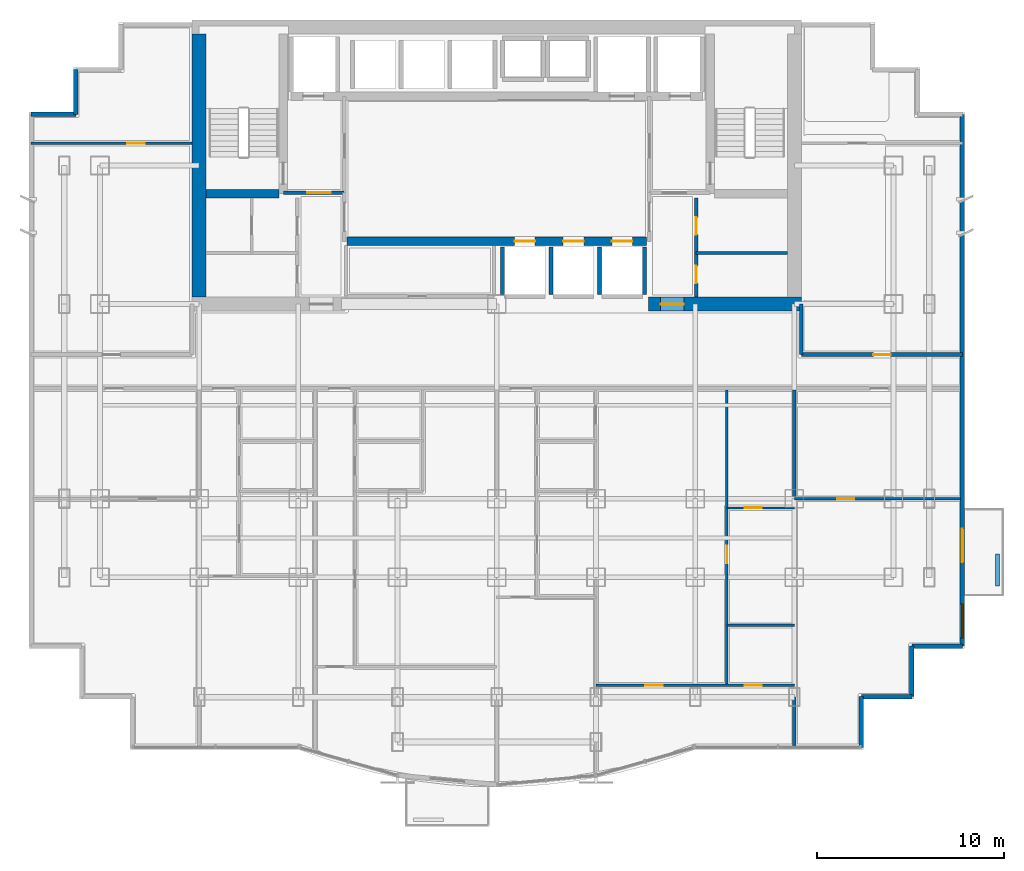
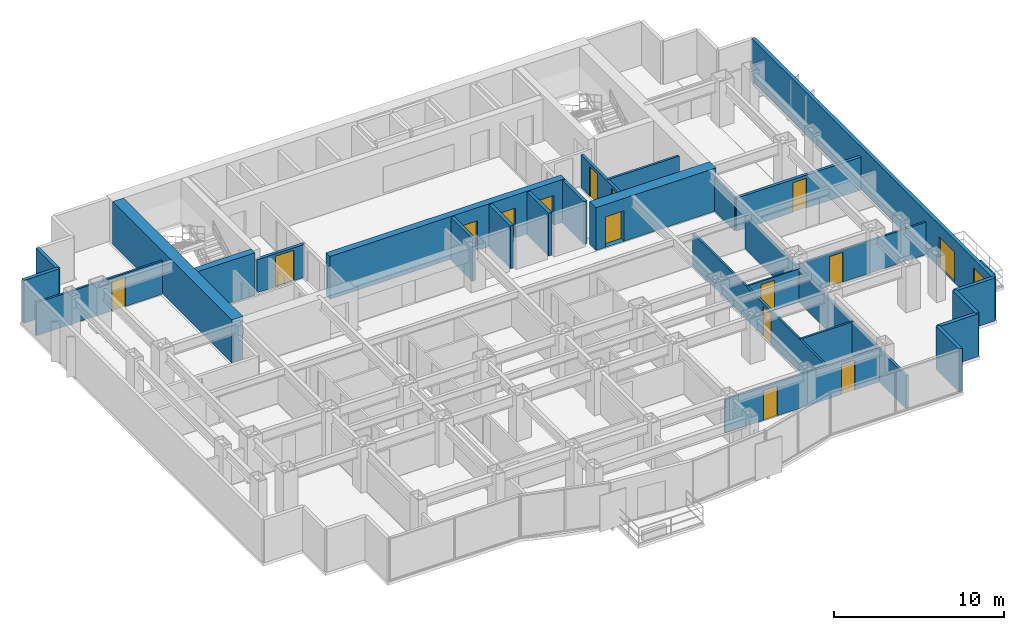
# One storey, part 6 of 10: 28 walls, 15 doors, 1 window, 16 openings.
"""IFC4 building model written with IfcOpenShell, lengths in metres."""

from ifc_helpers import new_model, si_unit, direction, frame, frame_2d, origin, place, context, subcontext, project, spatial, rectangle, extrude, material, layer, layer_set, type_object, element, fill, save


model = new_model("IFC4")

# Units and contexts
model_context = context("Model", 3, precision=1e-05, world=origin(), true_north=direction((0.0, 1.0)))
body_context = subcontext(model_context, "Body", "Model", "MODEL_VIEW")
ifc_project = project(units=[si_unit("LENGTHUNIT", "METRE"), si_unit("AREAUNIT", "SQUARE_METRE"), si_unit("VOLUMEUNIT", "CUBIC_METRE"), si_unit("PLANEANGLEUNIT", "RADIAN"), si_unit("MASSUNIT", "GRAM", prefix="KILO")], contexts=[model_context])

# Site, building, storey
site_placement = place(None, origin())
site = spatial("IfcSite", under=ifc_project, at=site_placement, CompositionType="ELEMENT")
building_placement = place(site_placement, origin())
building = spatial("IfcBuilding", under=site, at=building_placement, Name="Qianlan Lanfeng Residences", CompositionType="ELEMENT")
storey_placement = place(building_placement, frame((0.0, 0.0, 91.60009765625)))
storey = spatial("IfcBuildingStorey", under=building, at=storey_placement, Name="L24", CompositionType="ELEMENT", Elevation=91.60009765625)

# Wall
ifc_material_1 = material(Name="Concrete C60", Category="concrete")
ifc_layer_1 = layer(ifc_material_1, 0.449951171875)
ifc_layer_set_1 = layer_set([ifc_layer_1], Name="Concrete C60")
wall_type_1 = type_object("IfcWallType", Name="CW-RC-450", PredefinedType="SHEAR", material=ifc_layer_set_1)
wall_1_placement = place(storey_placement, frame((10.97509765625, 31.10009765625, 0.0), z_axis=(0.0, 0.0, 1.0), x_axis=(1.0, 0.0, 0.0)))
element("IfcWall", 1, at=wall_1_placement, inside=storey, type_object=wall_type_1, Name="L24 Core Shear Wall ST1S", PredefinedType="SHEAR", context=body_context, shape_type="SweptSolid", body=[
    extrude(rectangle(XDim=3.89990234375, YDim=0.449951171875, at=frame_2d((1.949951171875, 0.0))), origin(), (0.0, 0.0, 1.0), 3.08984375),
])

# Wall, openings, doors
wall_2_placement = place(storey_placement, frame((18.5, 28.550048828125, 0.0), z_axis=(0.0, 0.0, 1.0), x_axis=(1.0, 0.0, 0.0)))
wall_2 = element("IfcWall", 2, at=wall_2_placement, inside=storey, type_object=wall_type_1, Name="L24 Core Shear Wall LBS", PredefinedType="SHEAR", context=body_context, shape_type="SweptSolid", body=[
    extrude(rectangle(XDim=16.0, YDim=0.449951171875, at=frame_2d((8.0, 0.0))), origin(), (0.0, 0.0, 1.0), 3.08984375),
])
opening_1_placement = place(wall_2_placement, frame((8.949951171875, 0.0, 0.0)))
opening_1 = element("IfcOpeningElement", 3, at=opening_1_placement, cuts=wall_2, Name="Opening L24-LD-PL-M1", PredefinedType="OPENING", context=body_context, shape_type="SweptSolid", body=[
    extrude(rectangle(XDim=1.10009765625, YDim=2.14990234375, at=frame_2d((0.550048828125, 1.074951171875))), frame((0.0, 0.23486328125, 0.0), z_axis=(0.0, -1.0, 0.0), x_axis=(1.0, 0.0, 0.0)), (0.0, 0.0, 1.0), 0.469970703125),
])
opening_2_placement = place(wall_2_placement, frame((11.550048828125, 0.0, 0.0)))
opening_2 = element("IfcOpeningElement", 4, at=opening_2_placement, cuts=wall_2, Name="Opening L24-LD-PL-M2", PredefinedType="OPENING", context=body_context, shape_type="SweptSolid", body=[
    extrude(rectangle(XDim=1.10009765625, YDim=2.14990234375, at=frame_2d((0.550048828125, 1.074951171875))), frame((0.0, 0.23486328125, 0.0), z_axis=(0.0, -1.0, 0.0), x_axis=(1.0, 0.0, 0.0)), (0.0, 0.0, 1.0), 0.469970703125),
])
opening_3_placement = place(wall_2_placement, frame((14.14990234375, 0.0, 0.0)))
opening_3 = element("IfcOpeningElement", 5, at=opening_3_placement, cuts=wall_2, Name="Opening L24-LD-PL-M3", PredefinedType="OPENING", context=body_context, shape_type="SweptSolid", body=[
    extrude(rectangle(XDim=1.10009765625, YDim=2.14990234375, at=frame_2d((0.550048828125, 1.074951171875))), frame((0.0, 0.23486328125, 0.0), z_axis=(0.0, -1.0, 0.0), x_axis=(1.0, 0.0, 0.0)), (0.0, 0.0, 1.0), 0.469970703125),
])
ifc_material_2 = material(Name="Brushed Stainless Steel Sliding Lift Door", Category="steel")
door_type_1 = type_object("IfcDoorType", Name="LD-01", OperationType="NOTDEFINED", PredefinedType="DOOR", material=ifc_material_2)
door_1_placement = place(opening_1_placement, origin())
door_1 = element("IfcDoor", 6, at=door_1_placement, inside=storey, type_object=door_type_1, Name="L24 Elevator PL-M1 Sliding Landing Door", OperationType="DOUBLE_DOOR_SLIDING", OverallHeight=2.14990234375, OverallWidth=1.10009765625, PredefinedType="DOOR", context=body_context, shape_type="SweptSolid", body=[
    extrude(rectangle(XDim=1.10009765625, YDim=2.14990234375, at=frame_2d((0.550048828125, 1.074951171875))), frame((0.0, 0.02490234375, 0.0), z_axis=(0.0, -1.0, 0.0), x_axis=(1.0, 0.0, 0.0)), (0.0, 0.0, 1.0), 0.050048828125),
])
fill(opening_1, door_1)
door_2_placement = place(opening_2_placement, origin())
door_2 = element("IfcDoor", 7, at=door_2_placement, inside=storey, type_object=door_type_1, Name="L24 Elevator PL-M2 Sliding Landing Door", OperationType="DOUBLE_DOOR_SLIDING", OverallHeight=2.14990234375, OverallWidth=1.10009765625, PredefinedType="DOOR", context=body_context, shape_type="SweptSolid", body=[
    extrude(rectangle(XDim=1.10009765625, YDim=2.14990234375, at=frame_2d((0.550048828125, 1.074951171875))), frame((0.0, 0.02490234375, 0.0), z_axis=(0.0, -1.0, 0.0), x_axis=(1.0, 0.0, 0.0)), (0.0, 0.0, 1.0), 0.050048828125),
])
fill(opening_2, door_2)
door_3_placement = place(opening_3_placement, origin())
door_3 = element("IfcDoor", 8, at=door_3_placement, inside=storey, type_object=door_type_1, Name="L24 Elevator PL-M3 Sliding Landing Door", OperationType="DOUBLE_DOOR_SLIDING", OverallHeight=2.14990234375, OverallWidth=1.10009765625, PredefinedType="DOOR", context=body_context, shape_type="SweptSolid", body=[
    extrude(rectangle(XDim=1.10009765625, YDim=2.14990234375, at=frame_2d((0.550048828125, 1.074951171875))), frame((0.0, 0.02490234375, 0.0), z_axis=(0.0, -1.0, 0.0), x_axis=(1.0, 0.0, 0.0)), (0.0, 0.0, 1.0), 0.050048828125),
])
fill(opening_3, door_3)

# Wall
ifc_layer_2 = layer(ifc_material_1, 0.75)
ifc_layer_set_2 = layer_set([ifc_layer_2], Name="Concrete C60")
wall_type_2 = type_object("IfcWallType", Name="CW-RC-750", PredefinedType="SHEAR", material=ifc_layer_set_2)
wall_3_placement = place(storey_placement, frame((10.60009765625, 25.574951171875, 0.0), z_axis=(0.0, 0.0, 1.0), x_axis=(0.0, 1.0, 0.0)))
element("IfcWall", 9, at=wall_3_placement, inside=storey, type_object=wall_type_2, Name="L24 Core Shear Wall W", PredefinedType="SHEAR", context=body_context, shape_type="SweptSolid", body=[
    extrude(rectangle(XDim=14.050048828125, YDim=0.75, at=frame_2d((7.02490234375, 0.0))), origin(), (0.0, 0.0, 1.0), 3.08984375),
])

# Wall, opening, door
wall_4_placement = place(storey_placement, frame((34.60009765625, 25.199951171875, 0.0), z_axis=(0.0, 0.0, 1.0), x_axis=(1.0, 0.0, 0.0)))
wall_4 = element("IfcWall", 10, at=wall_4_placement, inside=storey, type_object=wall_type_2, Name="L24 Core Shear Wall SE", PredefinedType="SHEAR", context=body_context, shape_type="SweptSolid", body=[
    extrude(rectangle(XDim=8.1748046875, YDim=0.75, at=frame_2d((4.08740234375, 0.0))), origin(), (0.0, 0.0, 1.0), 3.08984375),
])
opening_4_placement = place(wall_4_placement, frame((0.64990234375, 0.0, 0.0)))
opening_4 = element("IfcOpeningElement", 11, at=opening_4_placement, cuts=wall_4, Name="Opening L24-D02", PredefinedType="OPENING", context=body_context, shape_type="SweptSolid", body=[
    extrude(rectangle(XDim=1.25, YDim=2.199951171875, at=frame_2d((0.625, 1.10009765625))), frame((0.0, 0.385009765625, 0.0), z_axis=(0.0, -1.0, 0.0), x_axis=(1.0, 0.0, 0.0)), (0.0, 0.0, 1.0), 0.77001953125),
])
ifc_material_3 = material(Name="Painted Galvanised Steel Fire Door", Category="steel")
door_type_2 = type_object("IfcDoorType", Name="DT-FFL", OperationType="NOTDEFINED", PredefinedType="DOOR", material=ifc_material_3)
door_4_placement = place(opening_4_placement, frame((1.25, 0.0, 0.0), z_axis=(0.0, 0.0, 1.0), x_axis=(-1.0, 0.0, 0.0)))
door_4 = element("IfcDoor", 12, at=door_4_placement, inside=storey, type_object=door_type_2, Name="L24 East Core Lobby Smoke Door L24-D02 (DT-FFL)", OperationType="SINGLE_SWING_LEFT", OverallHeight=2.199951171875, OverallWidth=1.25, PredefinedType="DOOR", context=body_context, shape_type="SweptSolid", body=[
    extrude(rectangle(XDim=1.25, YDim=2.199951171875, at=frame_2d((0.625, 1.10009765625))), frame((0.0, 0.02490234375, 0.0), z_axis=(0.0, -1.0, 0.0), x_axis=(1.0, 0.0, 0.0)), (0.0, 0.0, 1.0), 0.050048828125),
])
fill(opening_4, door_4)

# Walls
ifc_material_4 = material(Name="Concrete C42", Category="concrete")
ifc_layer_3 = layer(ifc_material_4, 0.239990234375)
ifc_layer_set_3 = layer_set([ifc_layer_3], Name="Concrete C42")
wall_type_3 = type_object("IfcWallType", Name="EW-240", PredefinedType="SOLIDWALL", material=ifc_layer_set_3)
for number, where, z_axis, x_axis, name in (
    (13, (45.97998046875, 1.52001953125, 0.0), (0.0, 0.0, 1.0), (0.0, 1.0, 0.0), "L24 Exterior Facade Spandrel Wall 6"),
    (14, (45.97998046875, 4.219970703125, 0.0), (0.0, 0.0, 1.0), (1.0, 0.0, 0.0), "L24 Exterior Facade Spandrel Wall 7"),
    (15, (48.679931640625, 4.219970703125, 0.0), (0.0, 0.0, 1.0), (0.0, 1.0, 0.0), "L24 Exterior Facade Spandrel Wall 8"),
    (16, (48.679931640625, 6.919921875, 0.0), (0.0, 0.0, 1.0), (1.0, 0.0, 0.0), "L24 Exterior Facade Spandrel Wall 9"),
):
    element("IfcWall", number, at=place(storey_placement, frame(where, z_axis=z_axis, x_axis=x_axis)), inside=storey, type_object=wall_type_3, Name=name, PredefinedType="SOLIDWALL", context=body_context, shape_type="SweptSolid", body=[
        extrude(rectangle(XDim=2.699951171875, YDim=0.239990234375, at=frame_2d((1.35009765625, 0.0))), origin(), (0.0, 0.0, 1.0), 3.08984375),
    ])

# Wall, openings, door, window
wall_5_placement = place(storey_placement, frame((51.3798828125, 6.919921875, 0.0), z_axis=(0.0, 0.0, 1.0), x_axis=(0.0, 1.0, 0.0)))
wall_5 = element("IfcWall", 17, at=wall_5_placement, inside=storey, type_object=wall_type_3, Name="L24 Terrace/Balcony Access Exterior Wall 10", PredefinedType="SOLIDWALL", context=body_context, shape_type="SweptSolid", body=[
    extrude(rectangle(XDim=28.41015625, YDim=0.239990234375, at=frame_2d((14.205078125, 0.0))), origin(), (0.0, 0.0, 1.0), 3.08984375),
])
opening_5_placement = place(wall_5_placement, frame((4.47998046875, 0.0, 0.0)))
opening_5 = element("IfcOpeningElement", 18, at=opening_5_placement, cuts=wall_5, Name="Opening L24-D-EB-S", PredefinedType="OPENING", context=body_context, shape_type="SweptSolid", body=[
    extrude(rectangle(XDim=1.800048828125, YDim=2.199951171875, at=frame_2d((0.89990234375, 1.10009765625))), frame((0.0, 0.1298828125, 0.0), z_axis=(0.0, -1.0, 0.0), x_axis=(1.0, 0.0, 0.0)), (0.0, 0.0, 1.0), 0.260009765625),
])
opening_6_placement = place(wall_5_placement, frame((0.449951171875, 0.0, 0.75)))
opening_6 = element("IfcOpeningElement", 19, at=opening_6_placement, cuts=wall_5, Name="Opening W-01", PredefinedType="OPENING", context=body_context, shape_type="SweptSolid", body=[
    extrude(rectangle(XDim=1.800048828125, YDim=1.699951171875, at=frame_2d((0.89990234375, 0.85009765625))), frame((0.0, 0.1298828125, 0.0), z_axis=(0.0, -1.0, 0.0), x_axis=(1.0, 0.0, 0.0)), (0.0, 0.0, 1.0), 0.260009765625),
])
ifc_material_5 = material(Name="Anodised Bronze Aluminium Framed Glass", Category="aluminium")
door_type_3 = type_object("IfcDoorType", Name="DT-BAL1", OperationType="NOTDEFINED", PredefinedType="DOOR", material=ifc_material_5)
door_5_placement = place(opening_5_placement, frame((1.800048828125, 0.0, 0.0), z_axis=(0.0, 0.0, 1.0), x_axis=(-1.0, 0.0, 0.0)))
door_5 = element("IfcDoor", 20, at=door_5_placement, inside=storey, type_object=door_type_3, Name="L24 Exterior Access Door EB-S", OperationType="DOUBLE_DOOR_SLIDING", OverallHeight=2.199951171875, OverallWidth=1.800048828125, PredefinedType="DOOR", context=body_context, shape_type="SweptSolid", body=[
    extrude(rectangle(XDim=1.800048828125, YDim=2.199951171875, at=frame_2d((0.89990234375, 1.10009765625))), frame((0.0, 0.02490234375, 0.0), z_axis=(0.0, -1.0, 0.0), x_axis=(1.0, 0.0, 0.0)), (0.0, 0.0, 1.0), 0.050048828125),
])
fill(opening_5, door_5)
ifc_material_6 = material(Name="Anodised Bronze Aluminium Framed Double Glazing", Category="aluminium")
window_type = type_object("IfcWindowType", Name="W-01", PartitioningType="SINGLE_PANEL", PredefinedType="WINDOW", material=ifc_material_6)
window_placement = place(opening_6_placement, origin())
window = element("IfcWindow", 21, at=window_placement, inside=storey, type_object=window_type, Name="L24 Exterior Window W-01", OverallHeight=1.699951171875, OverallWidth=1.800048828125, PartitioningType="SINGLE_PANEL", PredefinedType="WINDOW", context=body_context, shape_type="SweptSolid", body=[
    extrude(rectangle(XDim=1.800048828125, YDim=1.699951171875, at=frame_2d((0.89990234375, 0.85009765625))), frame((0.0, 0.030029296875, 0.0), z_axis=(0.0, -1.0, 0.0), x_axis=(1.0, 0.0, 0.0)), (0.0, 0.0, 1.0), 0.06005859375),
])
fill(opening_6, window)

# Walls
for number, where, z_axis, x_axis, name in (
    (22, (4.02001953125, 37.72998046875, 0.0), (0.0, 0.0, 1.0), (0.0, -1.0, 0.0), "L24 Exterior Facade Spandrel Wall 19"),
    (23, (4.02001953125, 35.330078125, 0.0), (0.0, 0.0, 1.0), (-1.0, 0.0, 0.0), "L24 Exterior Facade Spandrel Wall 20"),
):
    element("IfcWall", number, at=place(storey_placement, frame(where, z_axis=z_axis, x_axis=x_axis)), inside=storey, type_object=wall_type_3, Name=name, PredefinedType="SOLIDWALL", context=body_context, shape_type="SweptSolid", body=[
        extrude(rectangle(XDim=2.39990234375, YDim=0.239990234375, at=frame_2d((1.199951171875, 0.0))), origin(), (0.0, 0.0, 1.0), 3.08984375),
    ])
ifc_layer_4 = layer(ifc_material_4, 0.199951171875)
ifc_layer_set_4 = layer_set([ifc_layer_4], Name="Concrete C42")
wall_type_4 = type_object("IfcWallType", Name="PL-TREE-200", PredefinedType="PARAPET", material=ifc_layer_set_4)
wall_6_placement = place(storey_placement, frame((53.25, 10.14990234375, 0.0), z_axis=(0.0, 0.0, 1.0), x_axis=(0.0, 1.0, 0.0)))
element("IfcWall", 24, at=wall_6_placement, inside=storey, type_object=wall_type_4, Name="L24 East Tree Planter Curb EB-S", PredefinedType="PARAPET", context=body_context, shape_type="SweptSolid", body=[
    extrude(rectangle(XDim=1.7001953125, YDim=0.199951171875, at=frame_2d((0.85009765625, 0.0))), origin(), (0.0, 0.0, 1.0), 0.64990234375),
])

# Wall, opening, door
ifc_material_7 = material(Name="Demountable Acoustic Framing Partition 110 mm")
ifc_layer_5 = layer(ifc_material_7, 0.110107421875)
ifc_layer_set_5 = layer_set([ifc_layer_5], Name="Demountable Acoustic Framing Partition 110 mm")
wall_type_5 = type_object("IfcWallType", Name="PW-110", PredefinedType="MOVABLE", material=ifc_layer_set_5)
wall_7_placement = place(storey_placement, frame((38.800048828125, 14.31396484375, 0.0), z_axis=(0.0, 0.0, 1.0), x_axis=(1.0, 0.0, 0.0)))
wall_7 = element("IfcWall", 25, at=wall_7_placement, inside=storey, type_object=wall_type_5, Name="L24 U03 Wardrobe Split", PredefinedType="MOVABLE", context=body_context, shape_type="SweptSolid", body=[
    extrude(rectangle(XDim=3.599853515625, YDim=0.110107421875, at=frame_2d((1.7998046875, 0.0))), origin(), (0.0, 0.0, 1.0), 2.3798828125),
])
opening_7_placement = place(wall_7_placement, frame((0.93994140625, 0.0, 0.0)))
opening_7 = element("IfcOpeningElement", 26, at=opening_7_placement, cuts=wall_7, Name="Opening L24-D36", PredefinedType="OPENING", context=body_context, shape_type="SweptSolid", body=[
    extrude(rectangle(XDim=0.919921875, YDim=2.14990234375, at=frame_2d((0.4599609375, 1.074951171875))), frame((0.0, 0.06494140625, 0.0), z_axis=(0.0, -1.0, 0.0), x_axis=(1.0, 0.0, 0.0)), (0.0, 0.0, 1.0), 0.130126953125),
])
ifc_material_8 = material(Name="Glazed Timber Kitchen/Study Door", Category="wood")
door_type_4 = type_object("IfcDoorType", Name="DT-INT", OperationType="NOTDEFINED", PredefinedType="DOOR", material=ifc_material_8)
door_6_placement = place(opening_7_placement, origin())
door_6 = element("IfcDoor", 27, at=door_6_placement, inside=storey, type_object=door_type_4, Name="L24 U03 Dressing Inner Door L24-D36 (DT-INT)", OperationType="SINGLE_SWING_LEFT", OverallHeight=2.14990234375, OverallWidth=0.919921875, PredefinedType="DOOR", context=body_context, shape_type="SweptSolid", body=[
    extrude(rectangle(XDim=0.919921875, YDim=2.14990234375, at=frame_2d((0.4599609375, 1.074951171875))), frame((0.0, 0.02490234375, 0.0), z_axis=(0.0, -1.0, 0.0), x_axis=(1.0, 0.0, 0.0)), (0.0, 0.0, 1.0), 0.050048828125),
])
fill(opening_7, door_6)

# Wall, openings, doors
ifc_material_9 = material(Name="Moisture-Resistant Gypsum Partition 135 mm")
ifc_layer_6 = layer(ifc_material_9, 0.135009765625)
ifc_layer_set_6 = layer_set([ifc_layer_6], Name="Moisture-Resistant Gypsum Partition 135 mm")
wall_type_6 = type_object("IfcWallType", Name="PW-135", PredefinedType="PARTITIONING", material=ifc_layer_set_6)
wall_8_placement = place(storey_placement, frame((31.800048828125, 4.827880859375, 0.0), z_axis=(0.0, 0.0, 1.0), x_axis=(1.0, 0.0, 0.0)))
wall_8 = element("IfcWall", 28, at=wall_8_placement, inside=storey, type_object=wall_type_6, Name="L24 U03 Master Bedroom North Wall", PredefinedType="PARTITIONING", context=body_context, shape_type="SweptSolid", body=[
    extrude(rectangle(XDim=10.599853515625, YDim=0.135009765625, at=frame_2d((5.2998046875, 0.0))), origin(), (0.0, 0.0, 1.0), 2.3798828125),
])
opening_8_placement = place(wall_8_placement, frame((2.625, 0.0, 0.0)))
opening_8 = element("IfcOpeningElement", 29, at=opening_8_placement, cuts=wall_8, Name="Opening L24-D33", PredefinedType="OPENING", context=body_context, shape_type="SweptSolid", body=[
    extrude(rectangle(XDim=0.949951171875, YDim=2.14990234375, at=frame_2d((0.47509765625, 1.074951171875))), frame((0.0, 0.07763671875, 0.0), z_axis=(0.0, -1.0, 0.0), x_axis=(1.0, 0.0, 0.0)), (0.0, 0.0, 1.0), 0.155029296875),
])
opening_9_placement = place(wall_8_placement, frame((7.949951171875, 0.0, 0.0)))
opening_9 = element("IfcOpeningElement", 30, at=opening_9_placement, cuts=wall_8, Name="Opening L24-D34", PredefinedType="OPENING", context=body_context, shape_type="SweptSolid", body=[
    extrude(rectangle(XDim=0.89990234375, YDim=2.14990234375, at=frame_2d((0.449951171875, 1.074951171875))), frame((0.0, 0.07763671875, 0.0), z_axis=(0.0, -1.0, 0.0), x_axis=(1.0, 0.0, 0.0)), (0.0, 0.0, 1.0), 0.155029296875),
])
ifc_material_10 = material(Name="Painted Solid-Core Timber Leaf", Category="wood")
door_type_5 = type_object("IfcDoorType", Name="DT-BED", OperationType="NOTDEFINED", PredefinedType="DOOR", material=ifc_material_10)
door_7_placement = place(opening_8_placement, origin())
door_7 = element("IfcDoor", 31, at=door_7_placement, inside=storey, type_object=door_type_5, Name="L24 U03 Master Bedroom Door L24-D33 (DT-BED)", OperationType="SINGLE_SWING_RIGHT", OverallHeight=2.14990234375, OverallWidth=0.949951171875, PredefinedType="DOOR", context=body_context, shape_type="SweptSolid", body=[
    extrude(rectangle(XDim=0.949951171875, YDim=2.14990234375, at=frame_2d((0.47509765625, 1.074951171875))), frame((0.0, 0.02490234375, 0.0), z_axis=(0.0, -1.0, 0.0), x_axis=(1.0, 0.0, 0.0)), (0.0, 0.0, 1.0), 0.050048828125),
])
fill(opening_8, door_7)
ifc_material_11 = material(Name="Moisture-Resistant Timber Leaf", Category="wood")
door_type_6 = type_object("IfcDoorType", Name="DT-WC", OperationType="NOTDEFINED", PredefinedType="DOOR", material=ifc_material_11)
door_8_placement = place(opening_9_placement, origin())
door_8 = element("IfcDoor", 32, at=door_8_placement, inside=storey, type_object=door_type_6, Name="L24 U03 En-Suite Bathroom Door L24-D34 (DT-WC)", OperationType="SINGLE_SWING_LEFT", OverallHeight=2.14990234375, OverallWidth=0.89990234375, PredefinedType="DOOR", context=body_context, shape_type="SweptSolid", body=[
    extrude(rectangle(XDim=0.89990234375, YDim=2.14990234375, at=frame_2d((0.449951171875, 1.074951171875))), frame((0.0, 0.02490234375, 0.0), z_axis=(0.0, -1.0, 0.0), x_axis=(1.0, 0.0, 0.0)), (0.0, 0.0, 1.0), 0.050048828125),
])
fill(opening_9, door_8)

# Wall, opening, door
wall_9_placement = place(storey_placement, frame((38.800048828125, 4.827880859375, 0.0), z_axis=(0.0, 0.0, 1.0), x_axis=(0.0, 1.0, 0.0)))
wall_9 = element("IfcWall", 33, at=wall_9_placement, inside=storey, type_object=wall_type_6, Name="L24 U03 Master Passage Wall", PredefinedType="PARTITIONING", context=body_context, shape_type="SweptSolid", body=[
    extrude(rectangle(XDim=15.772216796875, YDim=0.135009765625, at=frame_2d((7.88623046875, 0.0))), origin(), (0.0, 0.0, 1.0), 2.3798828125),
])
opening_10_placement = place(wall_9_placement, frame((6.532958984375, 0.0, 0.0)))
opening_10 = element("IfcOpeningElement", 34, at=opening_10_placement, cuts=wall_9, Name="Opening L24-D35", PredefinedType="OPENING", context=body_context, shape_type="SweptSolid", body=[
    extrude(rectangle(XDim=0.919921875, YDim=2.14990234375, at=frame_2d((0.4599609375, 1.074951171875))), frame((0.0, 0.07763671875, 0.0), z_axis=(0.0, -1.0, 0.0), x_axis=(1.0, 0.0, 0.0)), (0.0, 0.0, 1.0), 0.155029296875),
])
door_9_placement = place(opening_10_placement, origin())
door_9 = element("IfcDoor", 35, at=door_9_placement, inside=storey, type_object=door_type_4, Name="L24 U03 Wardrobe Door L24-D35 (DT-INT)", OperationType="SINGLE_SWING_RIGHT", OverallHeight=2.14990234375, OverallWidth=0.919921875, PredefinedType="DOOR", context=body_context, shape_type="SweptSolid", body=[
    extrude(rectangle(XDim=0.919921875, YDim=2.14990234375, at=frame_2d((0.4599609375, 1.074951171875))), frame((0.0, 0.02490234375, 0.0), z_axis=(0.0, -1.0, 0.0), x_axis=(1.0, 0.0, 0.0)), (0.0, 0.0, 1.0), 0.050048828125),
])
fill(opening_10, door_9)

# Wall
wall_10_placement = place(storey_placement, frame((38.800048828125, 8.028076171875, 0.0), z_axis=(0.0, 0.0, 1.0), x_axis=(1.0, 0.0, 0.0)))
element("IfcWall", 36, at=wall_10_placement, inside=storey, type_object=wall_type_6, Name="L24 U03 En-Suite North Wall", PredefinedType="PARTITIONING", context=body_context, shape_type="SweptSolid", body=[
    extrude(rectangle(XDim=3.599853515625, YDim=0.135009765625, at=frame_2d((1.7998046875, 0.0))), origin(), (0.0, 0.0, 1.0), 2.3798828125),
])

# Wall, opening, door
wall_11_placement = place(storey_placement, frame((42.39990234375, 14.800048828125, 0.0), z_axis=(0.0, 0.0, 1.0), x_axis=(1.0, 0.0, 0.0)))
wall_11 = element("IfcWall", 37, at=wall_11_placement, inside=storey, type_object=wall_type_6, Name="L24 SEP Mid Partition", PredefinedType="PARTITIONING", context=body_context, shape_type="SweptSolid", body=[
    extrude(rectangle(XDim=8.880126953125, YDim=0.135009765625, at=frame_2d((4.43994140625, 0.0))), origin(), (0.0, 0.0, 1.0), 2.3349609375),
])
opening_11_placement = place(wall_11_placement, frame((2.280029296875, 0.0, 0.0)))
opening_11 = element("IfcOpeningElement", 38, at=opening_11_placement, cuts=wall_11, Name="Opening L24-D39", PredefinedType="OPENING", context=body_context, shape_type="SweptSolid", body=[
    extrude(rectangle(XDim=0.919921875, YDim=2.14990234375, at=frame_2d((0.4599609375, 1.074951171875))), frame((0.0, 0.07763671875, 0.0), z_axis=(0.0, -1.0, 0.0), x_axis=(1.0, 0.0, 0.0)), (0.0, 0.0, 1.0), 0.155029296875),
])
door_10_placement = place(opening_11_placement, origin())
door_10 = element("IfcDoor", 39, at=door_10_placement, inside=storey, type_object=door_type_4, Name="L24 SEP Inner Door L24-D39 (DT-INT)", OperationType="SINGLE_SWING_RIGHT", OverallHeight=2.14990234375, OverallWidth=0.919921875, PredefinedType="DOOR", context=body_context, shape_type="SweptSolid", body=[
    extrude(rectangle(XDim=0.919921875, YDim=2.14990234375, at=frame_2d((0.4599609375, 1.074951171875))), frame((0.0, 0.02490234375, 0.0), z_axis=(0.0, -1.0, 0.0), x_axis=(1.0, 0.0, 0.0)), (0.0, 0.0, 1.0), 0.050048828125),
])
fill(opening_11, door_10)

wall_12_placement = place(storey_placement, frame((1.6201171875, 33.800048828125, 0.0), z_axis=(0.0, 0.0, 1.0), x_axis=(1.0, 0.0, 0.0)))
wall_12 = element("IfcWall", 40, at=wall_12_placement, inside=storey, type_object=wall_type_6, Name="L24 WW North Wing Wall", PredefinedType="PARTITIONING", context=body_context, shape_type="SweptSolid", body=[
    extrude(rectangle(XDim=8.60498046875, YDim=0.135009765625, at=frame_2d((4.302490234375, 0.0))), origin(), (0.0, 0.0, 1.0), 2.3798828125),
])
opening_12_placement = place(wall_12_placement, frame((5.14306640625, 0.0, 0.0)))
opening_12 = element("IfcOpeningElement", 41, at=opening_12_placement, cuts=wall_12, Name="Opening L24-D41", PredefinedType="OPENING", context=body_context, shape_type="SweptSolid", body=[
    extrude(rectangle(XDim=0.919921875, YDim=2.14990234375, at=frame_2d((0.4599609375, 1.074951171875))), frame((0.0, 0.07763671875, 0.0), z_axis=(0.0, -1.0, 0.0), x_axis=(1.0, 0.0, 0.0)), (0.0, 0.0, 1.0), 0.155029296875),
])
door_11_placement = place(opening_12_placement, origin())
door_11 = element("IfcDoor", 42, at=door_11_placement, inside=storey, type_object=door_type_4, Name="L24 WW Inner Salon Door L24-D41 (DT-INT)", OperationType="SINGLE_SWING_RIGHT", OverallHeight=2.14990234375, OverallWidth=0.919921875, PredefinedType="DOOR", context=body_context, shape_type="SweptSolid", body=[
    extrude(rectangle(XDim=0.919921875, YDim=2.14990234375, at=frame_2d((0.4599609375, 1.074951171875))), frame((0.0, 0.02490234375, 0.0), z_axis=(0.0, -1.0, 0.0), x_axis=(1.0, 0.0, 0.0)), (0.0, 0.0, 1.0), 0.050048828125),
])
fill(opening_12, door_11)

# Wall
ifc_material_12 = material(Name="Acoustic Drywall Partition 150 mm")
ifc_layer_7 = layer(ifc_material_12, 0.14990234375)
ifc_layer_set_7 = layer_set([ifc_layer_7], Name="Acoustic Drywall Partition 150 mm")
wall_type_7 = type_object("IfcWallType", Name="PW-150", PredefinedType="PARTITIONING", material=ifc_layer_set_7)
wall_13_placement = place(storey_placement, frame((37.14990234375, 27.925048828125, 0.0), z_axis=(0.0, 0.0, 1.0), x_axis=(1.0, 0.0, 0.0)))
element("IfcWall", 43, at=wall_13_placement, inside=storey, type_object=wall_type_7, Name="L24 Core East H4", PredefinedType="PARTITIONING", context=body_context, shape_type="SweptSolid", body=[
    extrude(rectangle(XDim=4.875, YDim=0.14990234375, at=frame_2d((2.4375, 0.0))), origin(), (0.0, 0.0, 1.0), 2.3798828125),
])

# Wall, openings, doors
ifc_material_13 = material(Name="Double-Layer Acoustic Gypsum Stud Wall 180 mm")
ifc_layer_8 = layer(ifc_material_13, 0.179931640625)
ifc_layer_set_8 = layer_set([ifc_layer_8], Name="Double-Layer Acoustic Gypsum Stud Wall 180 mm")
wall_type_8 = type_object("IfcWallType", Name="PW-180", PredefinedType="PARTITIONING", material=ifc_layer_set_8)
wall_14_placement = place(storey_placement, frame((37.14990234375, 25.574951171875, 0.0), z_axis=(0.0, 0.0, 1.0), x_axis=(0.0, 1.0, 0.0)))
wall_14 = element("IfcWall", 44, at=wall_14_placement, inside=storey, type_object=wall_type_8, Name="L24 Core East Service Room Wall", PredefinedType="PARTITIONING", context=body_context, shape_type="SweptSolid", body=[
    extrude(rectangle(XDim=5.300048828125, YDim=0.179931640625, at=frame_2d((2.64990234375, 0.0))), origin(), (0.0, 0.0, 1.0), 2.3798828125),
])
opening_13_placement = place(wall_14_placement, frame((0.739990234375, 0.0, 0.0)))
opening_13 = element("IfcOpeningElement", 45, at=opening_13_placement, cuts=wall_14, Name="Opening L24-D12", PredefinedType="OPENING", context=body_context, shape_type="SweptSolid", body=[
    extrude(rectangle(XDim=0.919921875, YDim=2.14990234375, at=frame_2d((0.4599609375, 1.074951171875))), frame((0.0, 0.10009765625, 0.0), z_axis=(0.0, -1.0, 0.0), x_axis=(1.0, 0.0, 0.0)), (0.0, 0.0, 1.0), 0.199951171875),
])
opening_14_placement = place(wall_14_placement, frame((3.340087890625, 0.0, 0.0)))
opening_14 = element("IfcOpeningElement", 46, at=opening_14_placement, cuts=wall_14, Name="Opening L24-D13", PredefinedType="OPENING", context=body_context, shape_type="SweptSolid", body=[
    extrude(rectangle(XDim=0.919921875, YDim=2.14990234375, at=frame_2d((0.4599609375, 1.074951171875))), frame((0.0, 0.10009765625, 0.0), z_axis=(0.0, -1.0, 0.0), x_axis=(1.0, 0.0, 0.0)), (0.0, 0.0, 1.0), 0.199951171875),
])
door_12_placement = place(opening_13_placement, origin())
door_12 = element("IfcDoor", 47, at=door_12_placement, inside=storey, type_object=door_type_4, Name="L24 Mail Closet Door L24-D12 (DT-INT)", OperationType="SINGLE_SWING_LEFT", OverallHeight=2.14990234375, OverallWidth=0.919921875, PredefinedType="DOOR", context=body_context, shape_type="SweptSolid", body=[
    extrude(rectangle(XDim=0.919921875, YDim=2.14990234375, at=frame_2d((0.4599609375, 1.074951171875))), frame((0.0, 0.02490234375, 0.0), z_axis=(0.0, -1.0, 0.0), x_axis=(1.0, 0.0, 0.0)), (0.0, 0.0, 1.0), 0.050048828125),
])
fill(opening_13, door_12)
door_13_placement = place(opening_14_placement, origin())
door_13 = element("IfcDoor", 48, at=door_13_placement, inside=storey, type_object=door_type_4, Name="L24 Refuse Closet Door L24-D13 (DT-INT)", OperationType="SINGLE_SWING_RIGHT", OverallHeight=2.14990234375, OverallWidth=0.919921875, PredefinedType="DOOR", context=body_context, shape_type="SweptSolid", body=[
    extrude(rectangle(XDim=0.919921875, YDim=2.14990234375, at=frame_2d((0.4599609375, 1.074951171875))), frame((0.0, 0.02490234375, 0.0), z_axis=(0.0, -1.0, 0.0), x_axis=(1.0, 0.0, 0.0)), (0.0, 0.0, 1.0), 0.050048828125),
])
fill(opening_14, door_13)

# Wall
wall_15_placement = place(storey_placement, frame((42.39990234375, 1.6201171875, 0.0), z_axis=(0.0, 0.0, 1.0), x_axis=(0.0, 1.0, 0.0)))
element("IfcWall", 49, at=wall_15_placement, inside=storey, type_object=wall_type_8, Name="L24 Wing Boundary Party Wall E0", PredefinedType="PARTITIONING", context=body_context, shape_type="SweptSolid", body=[
    extrude(rectangle(XDim=18.97998046875, YDim=0.179931640625, at=frame_2d((9.489990234375, 0.0))), origin(), (0.0, 0.0, 1.0), 2.3349609375),
])

# Wall, opening, door
ifc_material_14 = material(Name="Autoclaved Aerated Concrete Blockwork 200 mm", Category="masonry")
ifc_layer_9 = layer(ifc_material_14, 0.199951171875)
ifc_layer_set_9 = layer_set([ifc_layer_9], Name="Autoclaved Aerated Concrete Blockwork 200 mm")
wall_type_9 = type_object("IfcWallType", Name="PW-200", PredefinedType="PARTITIONING", material=ifc_layer_set_9)
wall_16_placement = place(storey_placement, frame((15.10009765625, 31.14990234375, 0.0), z_axis=(0.0, 0.0, 1.0), x_axis=(1.0, 0.0, 0.0)))
wall_16 = element("IfcWall", 50, at=wall_16_placement, inside=storey, type_object=wall_type_9, Name="L24 Firefighting Lobby 1 South Wall", PredefinedType="PARTITIONING", context=body_context, shape_type="SweptSolid", body=[
    extrude(rectangle(XDim=3.25, YDim=0.199951171875, at=frame_2d((1.625, 0.0))), origin(), (0.0, 0.0, 1.0), 2.3798828125),
])
opening_15_placement = place(wall_16_placement, frame((1.27490234375, 0.0, 0.0)))
opening_15 = element("IfcOpeningElement", 51, at=opening_15_placement, cuts=wall_16, Name="Opening L24-D03", PredefinedType="OPENING", context=body_context, shape_type="SweptSolid", body=[
    extrude(rectangle(XDim=1.25, YDim=2.199951171875, at=frame_2d((0.625, 1.10009765625))), frame((0.0, 0.10986328125, 0.0), z_axis=(0.0, -1.0, 0.0), x_axis=(1.0, 0.0, 0.0)), (0.0, 0.0, 1.0), 0.219970703125),
])
door_14_placement = place(opening_15_placement, origin())
door_14 = element("IfcDoor", 52, at=door_14_placement, inside=storey, type_object=door_type_2, Name="L24 Firefighting Lobby 1 Entry Door L24-D03 (DT-FFL)", OperationType="SINGLE_SWING_LEFT", OverallHeight=2.199951171875, OverallWidth=1.25, PredefinedType="DOOR", context=body_context, shape_type="SweptSolid", body=[
    extrude(rectangle(XDim=1.25, YDim=2.199951171875, at=frame_2d((0.625, 1.10009765625))), frame((0.0, 0.02490234375, 0.0), z_axis=(0.0, -1.0, 0.0), x_axis=(1.0, 0.0, 0.0)), (0.0, 0.0, 1.0), 0.050048828125),
])
fill(opening_15, door_14)

wall_17_placement = place(storey_placement, frame((42.77490234375, 22.5, 0.0), z_axis=(0.0, 0.0, 1.0), x_axis=(1.0, 0.0, 0.0)))
wall_17 = element("IfcWall", 53, at=wall_17_placement, inside=storey, type_object=wall_type_9, Name="L24 Corridor NE Wall", PredefinedType="PARTITIONING", context=body_context, shape_type="SweptSolid", body=[
    extrude(rectangle(XDim=8.60498046875, YDim=0.199951171875, at=frame_2d((4.302490234375, 0.0))), origin(), (0.0, 0.0, 1.0), 2.3798828125),
])
opening_16_placement = place(wall_17_placement, frame((3.842041015625, 0.0, 0.0)))
opening_16 = element("IfcOpeningElement", 54, at=opening_16_placement, cuts=wall_17, Name="Opening L24-D44", PredefinedType="OPENING", context=body_context, shape_type="SweptSolid", body=[
    extrude(rectangle(XDim=0.919921875, YDim=2.14990234375, at=frame_2d((0.4599609375, 1.074951171875))), frame((0.0, 0.10986328125, 0.0), z_axis=(0.0, -1.0, 0.0), x_axis=(1.0, 0.0, 0.0)), (0.0, 0.0, 1.0), 0.219970703125),
])
door_15_placement = place(opening_16_placement, origin())
door_15 = element("IfcDoor", 55, at=door_15_placement, inside=storey, type_object=door_type_4, Name="L24 EW Amenity Salon Door L24-D44 (DT-INT)", OperationType="SINGLE_SWING_LEFT", OverallHeight=2.14990234375, OverallWidth=0.919921875, PredefinedType="DOOR", context=body_context, shape_type="SweptSolid", body=[
    extrude(rectangle(XDim=0.919921875, YDim=2.14990234375, at=frame_2d((0.4599609375, 1.074951171875))), frame((0.0, 0.02490234375, 0.0), z_axis=(0.0, -1.0, 0.0), x_axis=(1.0, 0.0, 0.0)), (0.0, 0.0, 1.0), 0.050048828125),
])
fill(opening_16, door_15)

# Walls
wall_18_placement = place(storey_placement, frame((42.77490234375, 22.5, 0.0), z_axis=(0.0, 0.0, 1.0), x_axis=(0.0, 1.0, 0.0)))
element("IfcWall", 56, at=wall_18_placement, inside=storey, type_object=wall_type_9, Name="L24 NE Wing Core Return Wall", PredefinedType="PARTITIONING", context=body_context, shape_type="SweptSolid", body=[
    extrude(rectangle(XDim=2.699951171875, YDim=0.199951171875, at=frame_2d((1.35009765625, 0.0))), origin(), (0.0, 0.0, 1.0), 2.3798828125),
])
ifc_material_15 = material(Name="Concrete C49", Category="concrete")
ifc_layer_10 = layer(ifc_material_15, 0.219970703125)
ifc_layer_set_10 = layer_set([ifc_layer_10], Name="Concrete C49")
wall_type_10 = type_object("IfcWallType", Name="SHW-220", PredefinedType="SOLIDWALL", material=ifc_layer_set_10)
for number, where, z_axis, x_axis, name in (
    (57, (26.800048828125, 25.719970703125, 0.0), (0.0, 0.0, 1.0), (0.0, 1.0, 0.0), "L24 Lift PL-M1 Shaft Wall W"),
    (58, (29.39990234375, 25.719970703125, 0.0), (0.0, 0.0, 1.0), (0.0, 1.0, 0.0), "L24 Lift PL-M2 Shaft Wall W"),
    (59, (32.0, 25.719970703125, 0.0), (0.0, 0.0, 1.0), (0.0, 1.0, 0.0), "L24 Lift PL-M3 Shaft Wall W"),
    (60, (34.39990234375, 25.719970703125, 0.0), (0.0, 0.0, 1.0), (0.0, 1.0, 0.0), "L24 Lift PL-M3 Shaft Wall E"),
):
    element("IfcWall", number, at=place(storey_placement, frame(where, z_axis=z_axis, x_axis=x_axis)), inside=storey, type_object=wall_type_10, Name=name, PredefinedType="SOLIDWALL", context=body_context, shape_type="SweptSolid", body=[
        extrude(rectangle(XDim=2.530029296875, YDim=0.219970703125, at=frame_2d((1.26513671875, 0.0))), origin(), (0.0, 0.0, 1.0), 3.08984375),
    ])

save(model, "model.ifc")
